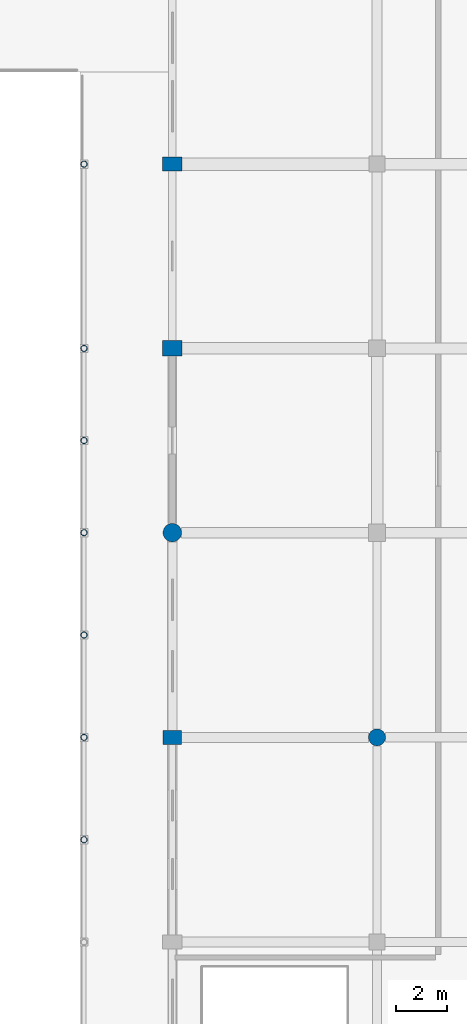
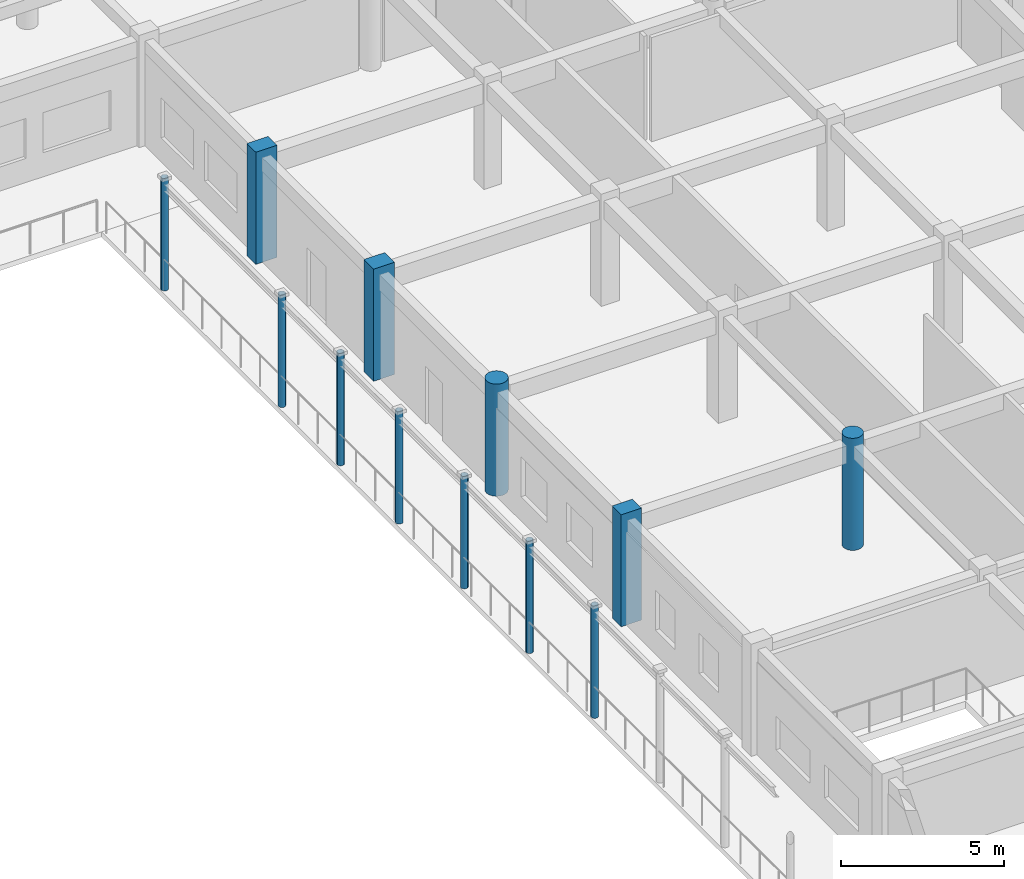
# One storey, part 27 of 195: 12 columns.
"""IFC4 building model written with IfcOpenShell, lengths in metres."""

from ifc_helpers import new_model, si_unit, direction, frame, origin, origin_2d, place, context, subcontext, project, spatial, rectangle, circle, hollow_circle, extrude, material, material_profile, profile_set, type_object, element, save


model = new_model("IFC4")

# Units and contexts
model_context = context("Model", 3, precision=1e-05, world=origin(), true_north=direction((0.0, 1.0)))
body_context = subcontext(model_context, "Body", "Model", "MODEL_VIEW")
ifc_project = project(units=[si_unit("LENGTHUNIT", "METRE"), si_unit("AREAUNIT", "SQUARE_METRE"), si_unit("VOLUMEUNIT", "CUBIC_METRE"), si_unit("PLANEANGLEUNIT", "RADIAN"), si_unit("MASSUNIT", "GRAM", prefix="KILO")], contexts=[model_context])

# Site, building, storey
site_placement = place(None, origin())
site = spatial("IfcSite", under=ifc_project, at=site_placement, CompositionType="ELEMENT")
building_placement = place(site_placement, origin())
building = spatial("IfcBuilding", under=site, at=building_placement, Name="Kharva Crest Polytechnic", CompositionType="ELEMENT")
storey_placement = place(building_placement, frame((0.0, 0.0, 9.0)))
storey = spatial("IfcBuildingStorey", under=building, at=storey_placement, Name="L02", CompositionType="ELEMENT", Elevation=9.0)

# Columns
ifc_material_1 = material(Name="Concrete C40/50", Category="concrete")
ifc_material_profile_1 = material_profile(ifc_material_1, rectangle(XDim=0.719970703125, YDim=0.550048828125, at=origin_2d()), Name="RECT 720 X 550")
ifc_profile_set_1 = profile_set([ifc_material_profile_1], Name="Concrete C40/50")
column_type_1 = type_object("IfcColumnType", Name="COL-EXT-720X550", PredefinedType="COLUMN", material=ifc_profile_set_1)
column_1_placement = place(storey_placement, frame((152.800048828125, 70.800048828125, 0.0), z_axis=(0.0, 0.0, 1.0), x_axis=(1.0, 0.0, 0.0)))
element("IfcColumn", 1, at=column_1_placement, inside=storey, type_object=column_type_1, Name="L02 Column 20/K", PredefinedType="COLUMN", context=body_context, shape_type="SweptSolid", body=[
    extrude(rectangle(XDim=0.719970703125, YDim=0.550048828125, at=origin_2d()), origin(), (0.0, 0.0, 1.0), 4.199951171875),
])
ifc_material_profile_2 = material_profile(ifc_material_1, rectangle(XDim=0.75, YDim=0.550048828125, at=origin_2d()), Name="RECT 750 X 550")
ifc_profile_set_2 = profile_set([ifc_material_profile_2], Name="Concrete C40/50")
column_type_2 = type_object("IfcColumnType", Name="COL-EXT-750X550", PredefinedType="COLUMN", material=ifc_profile_set_2)
column_2_placement = place(storey_placement, frame((152.800048828125, 93.199951171875, 0.0), z_axis=(0.0, 0.0, 1.0), x_axis=(1.0, 0.0, 0.0)))
element("IfcColumn", 2, at=column_2_placement, inside=storey, type_object=column_type_2, Name="L02 Column 20/N", PredefinedType="COLUMN", context=body_context, shape_type="SweptSolid", body=[
    extrude(rectangle(XDim=0.75, YDim=0.550048828125, at=origin_2d()), origin(), (0.0, 0.0, 1.0), 4.199951171875),
])
ifc_material_profile_3 = material_profile(ifc_material_1, rectangle(XDim=0.75, YDim=0.60009765625, at=origin_2d()), Name="RECT 750 X 600")
ifc_profile_set_3 = profile_set([ifc_material_profile_3], Name="Concrete C40/50")
column_type_3 = type_object("IfcColumnType", Name="COL-EXT-750X600", PredefinedType="COLUMN", material=ifc_profile_set_3)
column_3_placement = place(storey_placement, frame((152.800048828125, 86.0, 0.0), z_axis=(0.0, 0.0, 1.0), x_axis=(1.0, 0.0, 0.0)))
element("IfcColumn", 3, at=column_3_placement, inside=storey, type_object=column_type_3, Name="L02 Column 20/M", PredefinedType="COLUMN", context=body_context, shape_type="SweptSolid", body=[
    extrude(rectangle(XDim=0.75, YDim=0.60009765625, at=origin_2d()), origin(), (0.0, 0.0, 1.0), 4.199951171875),
])
ifc_material_profile_4 = material_profile(ifc_material_1, circle(Radius=0.360107421875, at=origin_2d()), Name="DIA 720")
ifc_profile_set_4 = profile_set([ifc_material_profile_4], Name="Concrete C40/50")
column_type_4 = type_object("IfcColumnType", Name="COL-EXT-DIA720", PredefinedType="COLUMN", material=ifc_profile_set_4)
column_4_placement = place(storey_placement, frame((152.800048828125, 78.800048828125, 0.0), z_axis=(0.0, 0.0, 1.0), x_axis=(1.0, 0.0, 0.0)))
element("IfcColumn", 4, at=column_4_placement, inside=storey, type_object=column_type_4, Name="L02 Column 20/L", PredefinedType="COLUMN", context=body_context, shape_type="SweptSolid", body=[
    extrude(circle(Radius=0.360107421875, at=origin_2d()), origin(), (0.0, 0.0, 1.0), 4.199951171875),
])
ifc_material_profile_5 = material_profile(ifc_material_1, circle(Radius=0.330078125, at=origin_2d()), Name="DIA 660")
ifc_profile_set_5 = profile_set([ifc_material_profile_5], Name="Concrete C40/50")
column_type_5 = type_object("IfcColumnType", Name="COL-INT-DIA660", PredefinedType="COLUMN", material=ifc_profile_set_5)
column_5_placement = place(storey_placement, frame((160.800048828125, 70.800048828125, 0.0), z_axis=(0.0, 0.0, 1.0), x_axis=(1.0, 0.0, 0.0)))
element("IfcColumn", 5, at=column_5_placement, inside=storey, type_object=column_type_5, Name="L02 Column 21/K", PredefinedType="COLUMN", context=body_context, shape_type="SweptSolid", body=[
    extrude(circle(Radius=0.330078125, at=origin_2d()), origin(), (0.0, 0.0, 1.0), 4.199951171875),
])
ifc_material_2 = material(Name="Steel S355", Category="steel")
ifc_material_profile_6 = material_profile(ifc_material_2, hollow_circle(Radius=0.122314453125, WallThickness=0.010009765625, at=origin_2d()), Name="CHS 244.5X10.0")
ifc_profile_set_6 = profile_set([ifc_material_profile_6], Name="Steel S355")
column_type_6 = type_object("IfcColumnType", Name="COL-STL-CHS244", PredefinedType="COLUMN", material=ifc_profile_set_6)
for number, where, z_axis, x_axis, name in (
    (6, (149.35009765625, 70.800048828125, 0.0), (0.0, 0.0, 1.0), (1.0, 0.0, 0.0), "L02 Colonnade Column VE04"),
    (7, (149.35009765625, 78.800048828125, 0.0), (0.0, 0.0, 1.0), (1.0, 0.0, 0.0), "L02 Colonnade Column VE05"),
    (8, (149.35009765625, 86.0, 0.0), (0.0, 0.0, 1.0), (1.0, 0.0, 0.0), "L02 Colonnade Column VE06"),
    (9, (149.35009765625, 93.199951171875, 0.0), (0.0, 0.0, 1.0), (1.0, 0.0, 0.0), "L02 Colonnade Column VE07"),
    (10, (149.35009765625, 66.800048828125, 0.0), (0.0, 0.0, 1.0), (1.0, 0.0, 0.0), "L02 Colonnade Mid Column VEM03"),
    (11, (149.35009765625, 74.800048828125, 0.0), (0.0, 0.0, 1.0), (1.0, 0.0, 0.0), "L02 Colonnade Mid Column VEM04"),
    (12, (149.35009765625, 82.39990234375, 0.0), (0.0, 0.0, 1.0), (1.0, 0.0, 0.0), "L02 Colonnade Mid Column VEM05"),
):
    element("IfcColumn", number, at=place(storey_placement, frame(where, z_axis=z_axis, x_axis=x_axis)), inside=storey, type_object=column_type_6, Name=name, PredefinedType="COLUMN", context=body_context, shape_type="SweptSolid", body=[
        extrude(hollow_circle(Radius=0.122314453125, WallThickness=0.010009765625, at=origin_2d()), origin(), (0.0, 0.0, 1.0), 4.199951171875),
    ])

save(model, "model.ifc")
